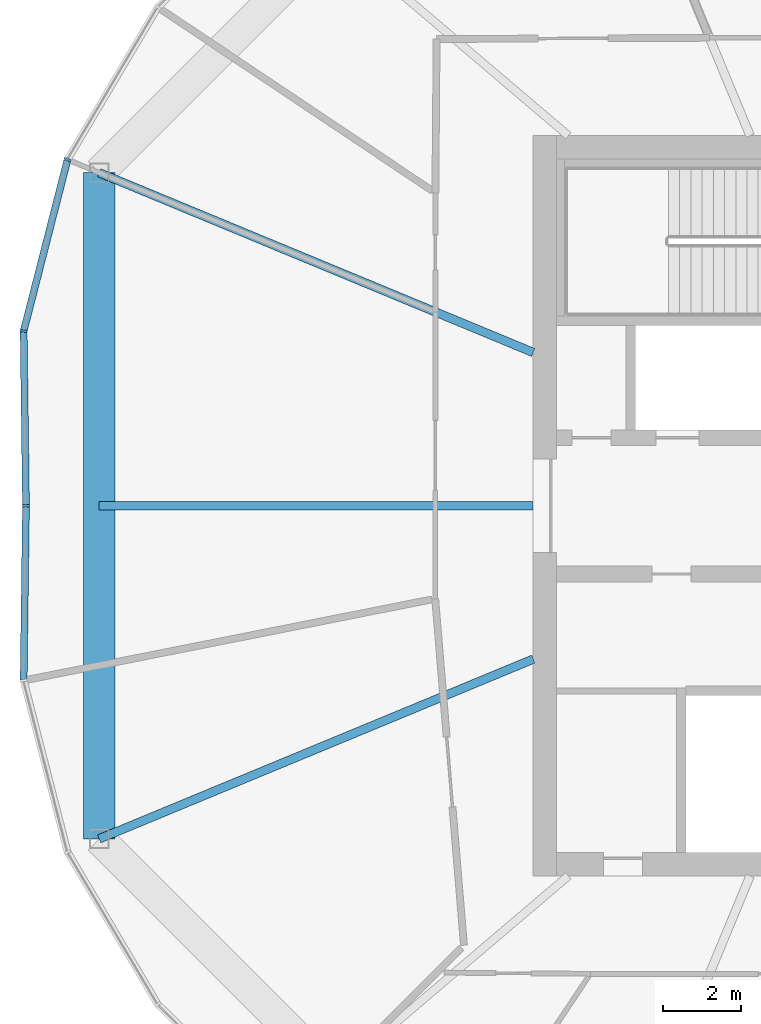
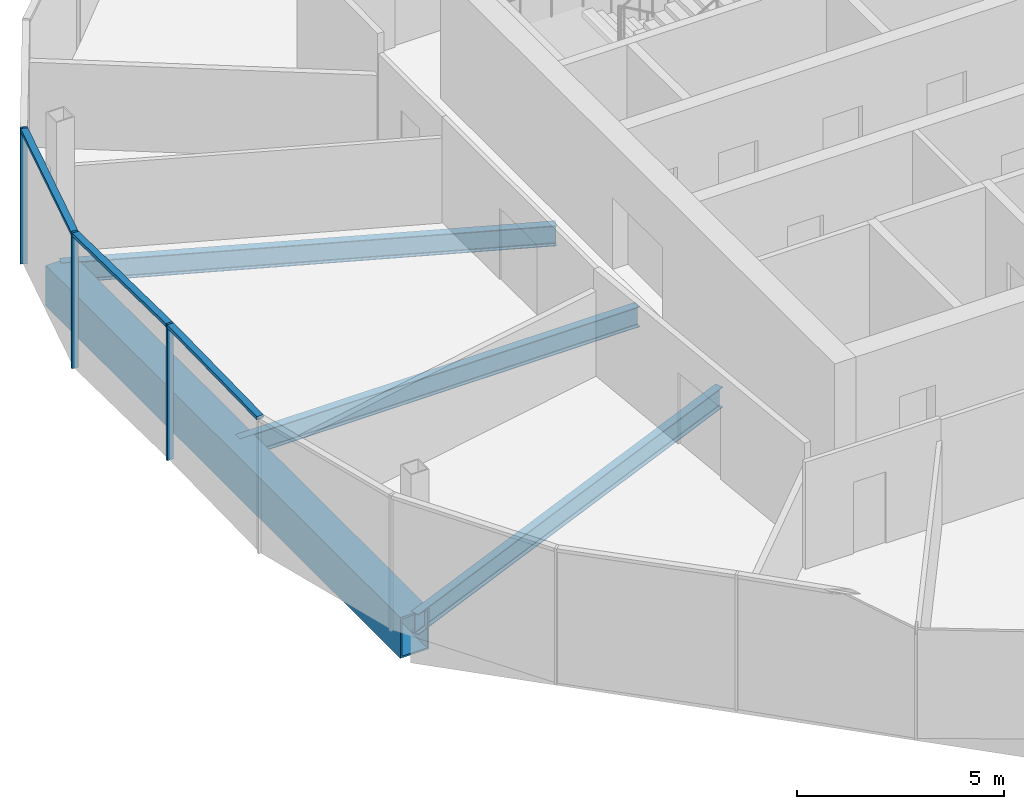
# One storey, part 4 of 25: 6 members, 4 beams, 2 elements without a shape of their own.
"""IFC4 building model written with IfcOpenShell, lengths in metres."""

import ifcopenshell
import ifcopenshell.guid

model = None  # the IFC model being written
_history = None  # IfcOwnerHistory: only IFC2X3 demands one
_inside = {}  # id of a spatial element -> (the spatial element, [elements in it])
_under = {}  # id of a project, library or spatial element -> (it, [spatial elements below it])
_declared = {}  # id of a project -> (the project, [libraries it declares])
_typed = {}  # id of a type object -> (the type object, [elements of that type])
_made_of = {}  # id of a material, layer set ... -> (it, [elements and type objects made of it])


def new_model(schema):
    """Start an empty IFC model of exactly this schema.

    Asked for "IFC4X3", IfcOpenShell would pick the latest addendum, in which some entities
    have other attributes; the version numbers below select the first issue.
    IFC2X3 requires an IfcOwnerHistory on every rooted entity: one is made here for all.
    """
    global model, _history
    if schema == "IFC4X3":
        model = ifcopenshell.file(schema_version=(4, 3, 0, 0))
    else:
        model = ifcopenshell.file(schema=schema)
    _inside.clear()
    _under.clear()
    _declared.clear()
    _typed.clear()
    _made_of.clear()
    _history = None
    if model.schema == "IFC2X3":
        org = make("IfcOrganization", Name="unknown")
        user = make(
            "IfcPersonAndOrganization",
            ThePerson=make("IfcPerson", FamilyName="unknown"),
            TheOrganization=org,
        )
        app = make(
            "IfcApplication",
            ApplicationDeveloper=org,
            Version="unknown",
            ApplicationFullName="unknown",
            ApplicationIdentifier="unknown",
        )
        _history = make(
            "IfcOwnerHistory",
            OwningUser=user,
            OwningApplication=app,
            ChangeAction="ADDED",
            CreationDate=0,
        )
    return model


def make(cls, **values):
    """One entity of the class cls with the attributes given. An attribute that is None is left unset."""
    return model.create_entity(
        cls, **{name: value for name, value in values.items() if value is not None}
    )


def rooted(cls, **values):
    """An entity with a GlobalId (a new one), such as an element, a storey or a relation."""
    return make(cls, GlobalId=ifcopenshell.guid.new(), OwnerHistory=_history, **values)


def si_unit(unit_type, name, prefix=None):
    """IfcSIUnit, for example si_unit("LENGTHUNIT", "METRE", prefix="MILLI")."""
    return make("IfcSIUnit", UnitType=unit_type, Prefix=prefix, Name=name)


def assignment(units):
    """IfcUnitAssignment: the units of a project."""
    return None if units is None else make("IfcUnitAssignment", Units=units)


def point(xyz):
    """IfcCartesianPoint."""
    return None if xyz is None else make("IfcCartesianPoint", Coordinates=xyz)


def direction(xyz):
    """IfcDirection."""
    return None if xyz is None else make("IfcDirection", DirectionRatios=xyz)


def frame(location, z_axis=None, x_axis=None):
    """IfcAxis2Placement3D, a coordinate frame: its origin and axes. An axis left out is left unset."""
    return make(
        "IfcAxis2Placement3D",
        Location=point(location),
        Axis=direction(z_axis),
        RefDirection=direction(x_axis),
    )


def frame_2d(location, x_axis=None):
    """IfcAxis2Placement2D, a coordinate frame in the plane: its origin and x axis."""
    return make(
        "IfcAxis2Placement2D", Location=point(location), RefDirection=direction(x_axis)
    )


def origin():
    """The frame at (0, 0, 0) with its axes left unset."""
    return frame((0.0, 0.0, 0.0))


def origin_2d():
    """The frame at (0, 0) in the plane with its x axis left unset."""
    return frame_2d((0.0, 0.0))


def place(relative_to, where):
    """IfcLocalPlacement: puts the frame where relative to a parent placement (None: the world)."""
    return make(
        "IfcLocalPlacement", PlacementRelTo=relative_to, RelativePlacement=where
    )


def context(
    kind, dimensions, precision=None, world=None, true_north=None, identifier=None
):
    """IfcGeometricRepresentationContext, for example the 3D "Model" context."""
    return make(
        "IfcGeometricRepresentationContext",
        ContextIdentifier=identifier,
        ContextType=kind,
        CoordinateSpaceDimension=dimensions,
        Precision=precision,
        WorldCoordinateSystem=world,
        TrueNorth=true_north,
    )


def subcontext(parent, identifier, kind, view, scale=None):
    """IfcGeometricRepresentationSubContext, for example "Body" below "Model"."""
    return make(
        "IfcGeometricRepresentationSubContext",
        ContextIdentifier=identifier,
        ContextType=kind,
        ParentContext=parent,
        TargetScale=scale,
        TargetView=view,
    )


def project(units=None, contexts=None):
    """IfcProject with its units and contexts."""
    return rooted(
        "IfcProject",
        Name="project",
        RepresentationContexts=contexts,
        UnitsInContext=assignment(units),
    )


def spatial(cls, under=None, at=None, **own):
    """A site, building, storey or space (cls), placed at a placement, below another one or the project."""
    s = rooted(cls, ObjectPlacement=at, **own)
    if under is not None:
        _under.setdefault(under.id(), (under, []))[1].append(s)
    return s


def profile(cls, at=None, kind="AREA", **sizes):
    """A parametric profile (cls). Its sizes go by their IFC names, for example OverallWidth=200.0."""
    return make(cls, ProfileType=kind, Position=at, **sizes)


def rectangle(**sizes):
    """IfcRectangleProfileDef."""
    return profile("IfcRectangleProfileDef", **sizes)


def hollow_rectangle(**sizes):
    """IfcRectangleHollowProfileDef."""
    return profile("IfcRectangleHollowProfileDef", **sizes)


def i_section(**sizes):
    """IfcIShapeProfileDef."""
    return profile("IfcIShapeProfileDef", **sizes)


def extrude(swept, where, along, depth):
    """IfcExtrudedAreaSolid: the profile swept, set in the frame where, extruded along a direction by depth."""
    return make(
        "IfcExtrudedAreaSolid",
        SweptArea=swept,
        Position=where,
        ExtrudedDirection=direction(along),
        Depth=depth,
    )


def shape(context_of_items, identifier, shape_type, items):
    """IfcShapeRepresentation: the items that make up one representation, for example the "Body"."""
    return make(
        "IfcShapeRepresentation",
        ContextOfItems=context_of_items,
        RepresentationIdentifier=identifier,
        RepresentationType=shape_type,
        Items=items,
    )


def material(Name=None, Category=None):
    """IfcMaterial."""
    return make("IfcMaterial", Name=Name, Category=Category)


def material_profile(
    of_material, cross_section, Name=None, Category=None, Priority=None
):
    """IfcMaterialProfile: a cross section and its material."""
    return make(
        "IfcMaterialProfile",
        Name=Name,
        Material=of_material,
        Profile=cross_section,
        Priority=Priority,
        Category=Category,
    )


def profile_set(profiles, Name=None, composite=None):
    """IfcMaterialProfileSet."""
    return make(
        "IfcMaterialProfileSet",
        Name=Name,
        MaterialProfiles=profiles,
        CompositeProfile=composite,
    )


def made_of(thing, what):
    """Note that an element or type object is made of a material, layer set ...; save() writes the relation."""
    if what is not None:
        _made_of.setdefault(what.id(), (what, []))[1].append(thing)
    return thing


def type_object(cls, material=None, **own):
    """A type object (cls), such as IfcWallType, which elements share."""
    return made_of(rooted(cls, **own), material)


def element(
    cls,
    number,
    at=None,
    inside=None,
    cuts=None,
    type_object=None,
    material=None,
    context=None,
    identifier="Body",
    shape_type=None,
    held_by="IfcProductDefinitionShape",
    body=None,
    shapes=None,
    **own,
):
    """One element of the class cls, such as IfcWall. Its Tag is "e" and its number.

    at: its placement. inside: the storey or other place that contains it. cuts: it is an
    opening in that element (IfcRelVoidsElement). A single representation is given by context,
    identifier, shape_type and body (its items); several are given by shapes. held_by: the class
    of the entity that holds the representations. save() writes the other relations.
    """
    e = rooted(cls, Tag="e%d" % number, ObjectPlacement=at, **own)
    if body is not None:
        shapes = [shape(context, identifier, shape_type, body)]
    if shapes is not None:
        e.Representation = make(held_by, Representations=shapes)
    if inside is not None:
        _inside.setdefault(inside.id(), (inside, []))[1].append(e)
    if cuts is not None:
        rooted(
            "IfcRelVoidsElement", RelatingBuildingElement=cuts, RelatedOpeningElement=e
        )
    if type_object is not None:
        _typed.setdefault(type_object.id(), (type_object, []))[1].append(e)
    return made_of(e, material)


def aggregate(whole, parts):
    """IfcRelAggregates: a whole, such as a stair, and the parts it consists of."""
    return rooted("IfcRelAggregates", RelatingObject=whole, RelatedObjects=parts)


def save(model, path):
    """Write the relations noted so far, then the file.

    IfcRelAggregates (storeys below a building ...), IfcRelContainedInSpatialStructure (elements
    in a storey), IfcRelDefinesByType, IfcRelAssociatesMaterial and IfcRelDeclares: one each for
    every whole, place, type object, material and project.
    """
    for whole, parts in _under.values():
        aggregate(whole, parts)
    for where, things in _inside.values():
        rooted(
            "IfcRelContainedInSpatialStructure",
            RelatedElements=things,
            RelatingStructure=where,
        )
    for kind, things in _typed.values():
        rooted("IfcRelDefinesByType", RelatedObjects=things, RelatingType=kind)
    for what, things in _made_of.values():
        rooted("IfcRelAssociatesMaterial", RelatedObjects=things, RelatingMaterial=what)
    for by, libraries in _declared.values():
        rooted("IfcRelDeclares", RelatingContext=by, RelatedDefinitions=libraries)
    model.write(path)


model = new_model("IFC4")

# Units and contexts
model_context = context("Model", 3, precision=1e-05, world=origin(), true_north=direction((0.0, 1.0)))
body_context = subcontext(model_context, "Body", "Model", "MODEL_VIEW")
ifc_project = project(units=[si_unit("LENGTHUNIT", "METRE"), si_unit("AREAUNIT", "SQUARE_METRE"), si_unit("VOLUMEUNIT", "CUBIC_METRE"), si_unit("PLANEANGLEUNIT", "RADIAN"), si_unit("MASSUNIT", "GRAM", prefix="KILO")], contexts=[model_context])

# Site, building, storey
site_placement = place(None, origin())
site = spatial("IfcSite", under=ifc_project, at=site_placement, CompositionType="ELEMENT")
building_placement = place(site_placement, origin())
building = spatial("IfcBuilding", under=site, at=building_placement, Name="Ogive Gate Towers", CompositionType="ELEMENT")
storey_placement = place(building_placement, frame((0.0, 0.0, 152.800048828125)))
storey = spatial("IfcBuildingStorey", under=building, at=storey_placement, Name="L36", CompositionType="ELEMENT", Elevation=152.800048828125)

# Beams
ifc_material_1 = material(Name="Steel SM460", Category="steel")
ifc_material_profile_1 = material_profile(ifc_material_1, hollow_rectangle(XDim=0.800048828125, YDim=1.199951171875, WallThickness=0.050048828125, at=origin_2d()), Name="BX 1200x800x50")
ifc_profile_set_1 = profile_set([ifc_material_profile_1], Name="Steel SM460")
beam_type_1 = type_object("IfcBeamType", Name="Edge girder BX 1200x800x50", PredefinedType="BEAM", material=ifc_profile_set_1)
beam_1_placement = place(storey_placement, frame((-56.639404296875, 8.549072265625, -0.900146484375), z_axis=(0.0, -1.0, 0.0), x_axis=(1.0, 0.0, 0.0)))
element("IfcBeam", 1, at=beam_1_placement, inside=storey, type_object=beam_type_1, Name="T1/L36/SBM024", PredefinedType="BEAM", context=body_context, shape_type="SweptSolid", body=[
    extrude(hollow_rectangle(XDim=0.800048828125, YDim=1.199951171875, WallThickness=0.050048828125, at=origin_2d()), origin(), (0.0, 0.0, 1.0), 17.09814453125),
])
ifc_material_2 = material(Name="Steel SM355", Category="steel")
ifc_material_profile_2 = material_profile(ifc_material_2, i_section(OverallWidth=0.219970703125, OverallDepth=0.60009765625, WebThickness=0.011962890625, FlangeThickness=0.01904296875, FilletRadius=0.02392578125, at=origin_2d()), Name="IPE 600")
ifc_profile_set_2 = profile_set([ifc_material_profile_2], Name="Steel SM355")
beam_type_2 = type_object("IfcBeamType", Name="Radial floor beam IPE 600", PredefinedType="BEAM", material=ifc_profile_set_2)
for number, where, z_axis, x_axis, name in (
    (2, (-45.5, -3.93505859375, -0.60009765625), (-0.923881839184, -0.382677863518, 0.0), (0.382677863518, -0.923881839184, 0.0), "T1/L36/SBM001"),
    (3, (-45.5, 3.93505859375, -0.60009765625), (-0.923881839184, 0.382677863518, 0.0), (-0.382677863518, -0.923881839184, 0.0), "T1/L36/SBM015"),
):
    element("IfcBeam", number, at=place(storey_placement, frame(where, z_axis=z_axis, x_axis=x_axis)), inside=storey, type_object=beam_type_2, Name=name, PredefinedType="BEAM", context=body_context, shape_type="SweptSolid", body=[
        extrude(i_section(OverallWidth=0.219970703125, OverallDepth=0.60009765625, WebThickness=0.011962890625, FlangeThickness=0.01904296875, FilletRadius=0.02392578125, at=origin_2d()), origin(), (0.0, 0.0, 1.0), 12.05712890625),
    ])
beam_2_placement = place(storey_placement, frame((-45.5, 0.0, -0.60009765625), z_axis=(-1.0, 0.0, 0.0), x_axis=(0.0, -1.0, 0.0)))
element("IfcBeam", 4, at=beam_2_placement, inside=storey, type_object=beam_type_2, Name="T1/L36/SBM016", PredefinedType="BEAM", context=body_context, shape_type="SweptSolid", body=[
    extrude(i_section(OverallWidth=0.219970703125, OverallDepth=0.60009765625, WebThickness=0.011962890625, FlangeThickness=0.01904296875, FilletRadius=0.02392578125, at=origin_2d()), origin(), (0.0, 0.0, 1.0), 11.139404296875),
])

# Curtain wall, members
ifc_material_3 = material(Name="Pale metal aluminium", Category="aluminium")
curtain_wall_type = type_object("IfcCurtainWallType", Name="Tower unitised wall, high zone", PredefinedType="NOTDEFINED", material=ifc_material_3)
curtain_wall_1_placement = place(storey_placement, origin())
curtain_wall_1 = element("IfcCurtainWall", 5, at=curtain_wall_1_placement, inside=storey, type_object=curtain_wall_type, Name="CW2 T1 ECW04", PredefinedType="NOTDEFINED")
ifc_material_profile_3 = material_profile(ifc_material_3, rectangle(XDim=0.179931640625, YDim=0.06005859375, at=origin_2d()), Name="60 x 180 aluminium box")
ifc_profile_set_3 = profile_set([ifc_material_profile_3], Name="Pale metal aluminium")
member_type_1 = type_object("IfcMemberType", Name="Tower unitised wall, high zone mullion 60 x 180", PredefinedType="MULLION", material=ifc_profile_set_3)
member_1_placement = place(storey_placement, frame((-57.45361328125, 8.88623046875, -0.300048828125), z_axis=(0.0, 0.0, 1.0), x_axis=(-0.923879532511, 0.382683432365, 0.0)))
member_1 = element("IfcMember", 6, at=member_1_placement, type_object=member_type_1, Name="CW2 mullion", PredefinedType="MULLION", context=body_context, shape_type="SweptSolid", body=[
    extrude(rectangle(XDim=0.179931640625, YDim=0.06005859375, at=origin_2d()), origin(), (0.0, 0.0, 1.0), 4.0),
])
member_2_placement = place(storey_placement, frame((-58.57958984375, 4.484130859375, -0.300048828125), z_axis=(0.0, 0.0, 1.0), x_axis=(-0.992975837021, 0.118317315268, 0.0)))
member_2 = element("IfcMember", 7, at=member_2_placement, type_object=member_type_1, Name="CW2 mullion", PredefinedType="MULLION", context=body_context, shape_type="SweptSolid", body=[
    extrude(rectangle(XDim=0.179931640625, YDim=0.06005859375, at=origin_2d()), origin(), (0.0, 0.0, 1.0), 4.0),
])
member_3_placement = place(storey_placement, frame((-58.52001953125, 0.0, -0.300048828125), z_axis=(0.0, 0.0, 1.0), x_axis=(-0.999911796124, -0.013281565099, 0.0)))
member_3 = element("IfcMember", 8, at=member_3_placement, type_object=member_type_1, Name="CW2 mullion", PredefinedType="MULLION", context=body_context, shape_type="SweptSolid", body=[
    extrude(rectangle(XDim=0.179931640625, YDim=0.06005859375, at=origin_2d()), origin(), (0.0, 0.0, 1.0), 4.0),
])
ifc_material_profile_4 = material_profile(ifc_material_3, rectangle(XDim=0.179931640625, YDim=0.10009765625, at=origin_2d()), Name="100 x 180 aluminium box")
ifc_profile_set_4 = profile_set([ifc_material_profile_4], Name="Pale metal aluminium")
member_type_2 = type_object("IfcMemberType", Name="Tower unitised wall, high zone transom 100 x 180", PredefinedType="USERDEFINED", material=ifc_profile_set_4)
member_4_placement = place(storey_placement, frame((-57.46044921875, 8.858642578125, 3.64990234375), z_axis=(-0.247858192196, -0.968796323569, 0.0), x_axis=(0.968796323569, -0.247858192196, 0.0)))
member_4 = element("IfcMember", 9, at=member_4_placement, type_object=member_type_2, Name="CW2 transom", ObjectType="TRANSOM", PredefinedType="USERDEFINED", context=body_context, shape_type="SweptSolid", body=[
    extrude(rectangle(XDim=0.179931640625, YDim=0.10009765625, at=origin_2d()), origin(), (0.0, 0.0, 1.0), 4.486572265625),
])
member_5_placement = place(storey_placement, frame((-58.5791015625, 4.45556640625, 3.64990234375), z_axis=(0.013238758058, -0.999912363802, 0.0), x_axis=(0.999912363802, 0.013238758058, 0.0)))
member_5 = element("IfcMember", 10, at=member_5_placement, type_object=member_type_2, Name="CW2 transom", ObjectType="TRANSOM", PredefinedType="USERDEFINED", context=body_context, shape_type="SweptSolid", body=[
    extrude(rectangle(XDim=0.179931640625, YDim=0.10009765625, at=origin_2d()), origin(), (0.0, 0.0, 1.0), 4.426025390625),
])
aggregate(curtain_wall_1, [member_1, member_2, member_4, member_3, member_5])

# Curtain wall, member
curtain_wall_2_placement = place(storey_placement, origin())
curtain_wall_2 = element("IfcCurtainWall", 11, at=curtain_wall_2_placement, inside=storey, type_object=curtain_wall_type, Name="CW2 T1 ECW05", PredefinedType="NOTDEFINED")
member_6_placement = place(storey_placement, frame((-58.5205078125, -0.030029296875, 3.64990234375), z_axis=(-0.013238758058, -0.999912363802, 0.0), x_axis=(0.999912363802, -0.013238758058, 0.0)))
member_6 = element("IfcMember", 12, at=member_6_placement, type_object=member_type_2, Name="CW2 transom", ObjectType="TRANSOM", PredefinedType="USERDEFINED", context=body_context, shape_type="SweptSolid", body=[
    extrude(rectangle(XDim=0.179931640625, YDim=0.10009765625, at=origin_2d()), origin(), (0.0, 0.0, 1.0), 4.426025390625),
])
aggregate(curtain_wall_2, [member_6])

save(model, "model.ifc")
